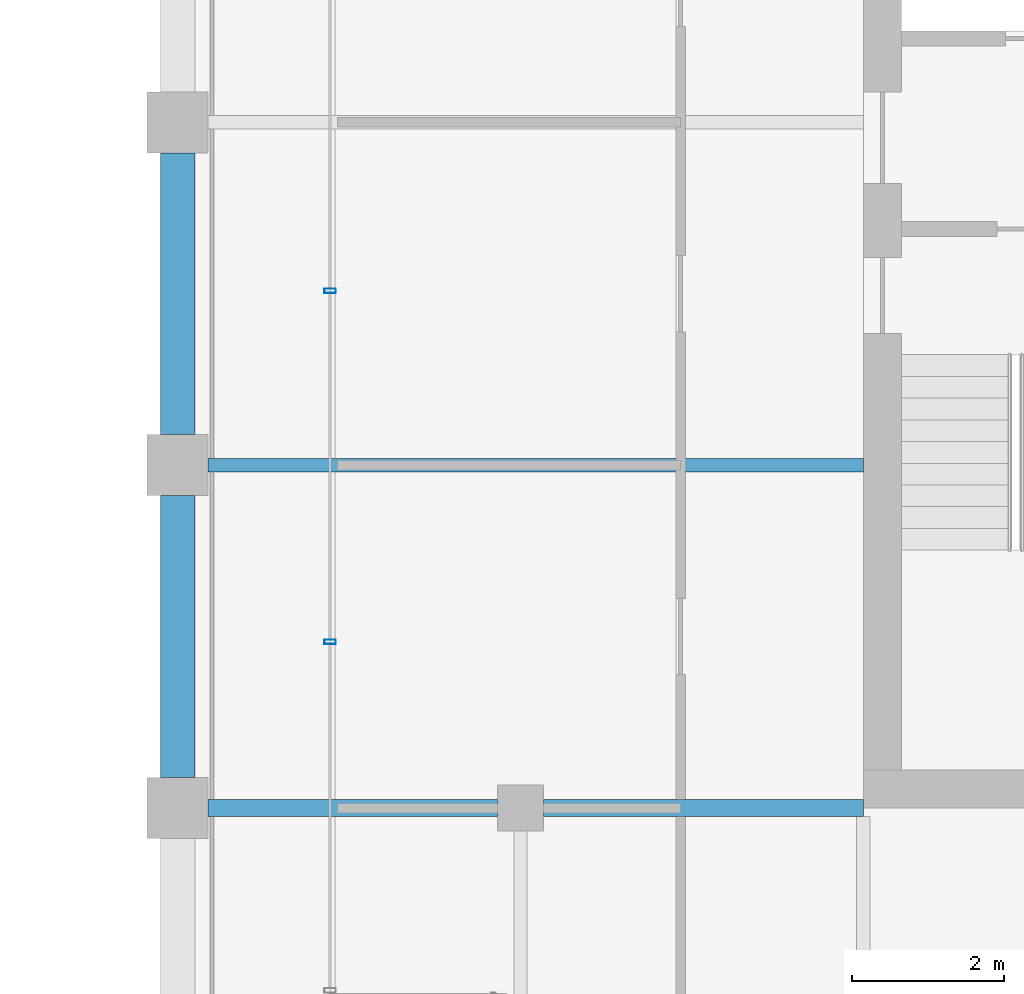
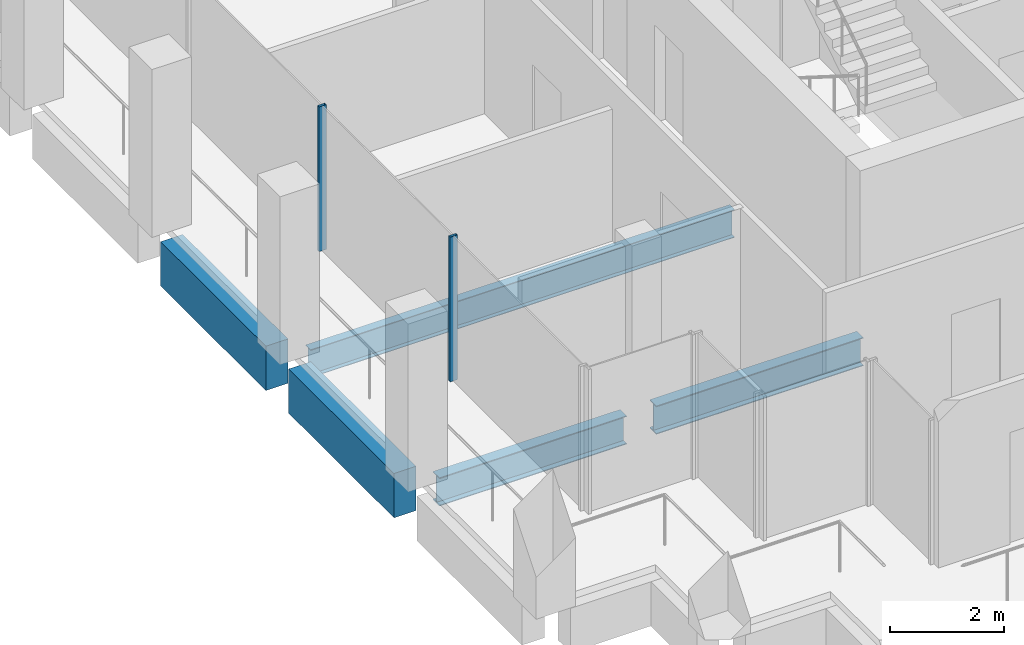
# One storey, part 30 of 41: 5 beams, 2 members, 1 element without a shape of its own.
"""IFC4 building model written with IfcOpenShell, lengths in metres."""

import ifcopenshell
import ifcopenshell.guid

model = None  # the IFC model being written
_history = None  # IfcOwnerHistory: only IFC2X3 demands one
_inside = {}  # id of a spatial element -> (the spatial element, [elements in it])
_under = {}  # id of a project, library or spatial element -> (it, [spatial elements below it])
_declared = {}  # id of a project -> (the project, [libraries it declares])
_typed = {}  # id of a type object -> (the type object, [elements of that type])
_made_of = {}  # id of a material, layer set ... -> (it, [elements and type objects made of it])


def new_model(schema):
    """Start an empty IFC model of exactly this schema.

    Asked for "IFC4X3", IfcOpenShell would pick the latest addendum, in which some entities
    have other attributes; the version numbers below select the first issue.
    IFC2X3 requires an IfcOwnerHistory on every rooted entity: one is made here for all.
    """
    global model, _history
    if schema == "IFC4X3":
        model = ifcopenshell.file(schema_version=(4, 3, 0, 0))
    else:
        model = ifcopenshell.file(schema=schema)
    _inside.clear()
    _under.clear()
    _declared.clear()
    _typed.clear()
    _made_of.clear()
    _history = None
    if model.schema == "IFC2X3":
        org = make("IfcOrganization", Name="unknown")
        user = make(
            "IfcPersonAndOrganization",
            ThePerson=make("IfcPerson", FamilyName="unknown"),
            TheOrganization=org,
        )
        app = make(
            "IfcApplication",
            ApplicationDeveloper=org,
            Version="unknown",
            ApplicationFullName="unknown",
            ApplicationIdentifier="unknown",
        )
        _history = make(
            "IfcOwnerHistory",
            OwningUser=user,
            OwningApplication=app,
            ChangeAction="ADDED",
            CreationDate=0,
        )
    return model


def make(cls, **values):
    """One entity of the class cls with the attributes given. An attribute that is None is left unset."""
    return model.create_entity(
        cls, **{name: value for name, value in values.items() if value is not None}
    )


def rooted(cls, **values):
    """An entity with a GlobalId (a new one), such as an element, a storey or a relation."""
    return make(cls, GlobalId=ifcopenshell.guid.new(), OwnerHistory=_history, **values)


def si_unit(unit_type, name, prefix=None):
    """IfcSIUnit, for example si_unit("LENGTHUNIT", "METRE", prefix="MILLI")."""
    return make("IfcSIUnit", UnitType=unit_type, Prefix=prefix, Name=name)


def assignment(units):
    """IfcUnitAssignment: the units of a project."""
    return None if units is None else make("IfcUnitAssignment", Units=units)


def point(xyz):
    """IfcCartesianPoint."""
    return None if xyz is None else make("IfcCartesianPoint", Coordinates=xyz)


def direction(xyz):
    """IfcDirection."""
    return None if xyz is None else make("IfcDirection", DirectionRatios=xyz)


def frame(location, z_axis=None, x_axis=None):
    """IfcAxis2Placement3D, a coordinate frame: its origin and axes. An axis left out is left unset."""
    return make(
        "IfcAxis2Placement3D",
        Location=point(location),
        Axis=direction(z_axis),
        RefDirection=direction(x_axis),
    )


def frame_2d(location, x_axis=None):
    """IfcAxis2Placement2D, a coordinate frame in the plane: its origin and x axis."""
    return make(
        "IfcAxis2Placement2D", Location=point(location), RefDirection=direction(x_axis)
    )


def origin():
    """The frame at (0, 0, 0) with its axes left unset."""
    return frame((0.0, 0.0, 0.0))


def origin_2d():
    """The frame at (0, 0) in the plane with its x axis left unset."""
    return frame_2d((0.0, 0.0))


def place(relative_to, where):
    """IfcLocalPlacement: puts the frame where relative to a parent placement (None: the world)."""
    return make(
        "IfcLocalPlacement", PlacementRelTo=relative_to, RelativePlacement=where
    )


def context(
    kind, dimensions, precision=None, world=None, true_north=None, identifier=None
):
    """IfcGeometricRepresentationContext, for example the 3D "Model" context."""
    return make(
        "IfcGeometricRepresentationContext",
        ContextIdentifier=identifier,
        ContextType=kind,
        CoordinateSpaceDimension=dimensions,
        Precision=precision,
        WorldCoordinateSystem=world,
        TrueNorth=true_north,
    )


def subcontext(parent, identifier, kind, view, scale=None):
    """IfcGeometricRepresentationSubContext, for example "Body" below "Model"."""
    return make(
        "IfcGeometricRepresentationSubContext",
        ContextIdentifier=identifier,
        ContextType=kind,
        ParentContext=parent,
        TargetScale=scale,
        TargetView=view,
    )


def project(units=None, contexts=None):
    """IfcProject with its units and contexts."""
    return rooted(
        "IfcProject",
        Name="project",
        RepresentationContexts=contexts,
        UnitsInContext=assignment(units),
    )


def spatial(cls, under=None, at=None, **own):
    """A site, building, storey or space (cls), placed at a placement, below another one or the project."""
    s = rooted(cls, ObjectPlacement=at, **own)
    if under is not None:
        _under.setdefault(under.id(), (under, []))[1].append(s)
    return s


def profile(cls, at=None, kind="AREA", **sizes):
    """A parametric profile (cls). Its sizes go by their IFC names, for example OverallWidth=200.0."""
    return make(cls, ProfileType=kind, Position=at, **sizes)


def rectangle(**sizes):
    """IfcRectangleProfileDef."""
    return profile("IfcRectangleProfileDef", **sizes)


def hollow_rectangle(**sizes):
    """IfcRectangleHollowProfileDef."""
    return profile("IfcRectangleHollowProfileDef", **sizes)


def i_section(**sizes):
    """IfcIShapeProfileDef."""
    return profile("IfcIShapeProfileDef", **sizes)


def extrude(swept, where, along, depth):
    """IfcExtrudedAreaSolid: the profile swept, set in the frame where, extruded along a direction by depth."""
    return make(
        "IfcExtrudedAreaSolid",
        SweptArea=swept,
        Position=where,
        ExtrudedDirection=direction(along),
        Depth=depth,
    )


def shape(context_of_items, identifier, shape_type, items):
    """IfcShapeRepresentation: the items that make up one representation, for example the "Body"."""
    return make(
        "IfcShapeRepresentation",
        ContextOfItems=context_of_items,
        RepresentationIdentifier=identifier,
        RepresentationType=shape_type,
        Items=items,
    )


def material(Name=None, Category=None):
    """IfcMaterial."""
    return make("IfcMaterial", Name=Name, Category=Category)


def material_profile(
    of_material, cross_section, Name=None, Category=None, Priority=None
):
    """IfcMaterialProfile: a cross section and its material."""
    return make(
        "IfcMaterialProfile",
        Name=Name,
        Material=of_material,
        Profile=cross_section,
        Priority=Priority,
        Category=Category,
    )


def profile_set(profiles, Name=None, composite=None):
    """IfcMaterialProfileSet."""
    return make(
        "IfcMaterialProfileSet",
        Name=Name,
        MaterialProfiles=profiles,
        CompositeProfile=composite,
    )


def made_of(thing, what):
    """Note that an element or type object is made of a material, layer set ...; save() writes the relation."""
    if what is not None:
        _made_of.setdefault(what.id(), (what, []))[1].append(thing)
    return thing


def type_object(cls, material=None, **own):
    """A type object (cls), such as IfcWallType, which elements share."""
    return made_of(rooted(cls, **own), material)


def element(
    cls,
    number,
    at=None,
    inside=None,
    cuts=None,
    type_object=None,
    material=None,
    context=None,
    identifier="Body",
    shape_type=None,
    held_by="IfcProductDefinitionShape",
    body=None,
    shapes=None,
    **own,
):
    """One element of the class cls, such as IfcWall. Its Tag is "e" and its number.

    at: its placement. inside: the storey or other place that contains it. cuts: it is an
    opening in that element (IfcRelVoidsElement). A single representation is given by context,
    identifier, shape_type and body (its items); several are given by shapes. held_by: the class
    of the entity that holds the representations. save() writes the other relations.
    """
    e = rooted(cls, Tag="e%d" % number, ObjectPlacement=at, **own)
    if body is not None:
        shapes = [shape(context, identifier, shape_type, body)]
    if shapes is not None:
        e.Representation = make(held_by, Representations=shapes)
    if inside is not None:
        _inside.setdefault(inside.id(), (inside, []))[1].append(e)
    if cuts is not None:
        rooted(
            "IfcRelVoidsElement", RelatingBuildingElement=cuts, RelatedOpeningElement=e
        )
    if type_object is not None:
        _typed.setdefault(type_object.id(), (type_object, []))[1].append(e)
    return made_of(e, material)


def aggregate(whole, parts):
    """IfcRelAggregates: a whole, such as a stair, and the parts it consists of."""
    return rooted("IfcRelAggregates", RelatingObject=whole, RelatedObjects=parts)


def save(model, path):
    """Write the relations noted so far, then the file.

    IfcRelAggregates (storeys below a building ...), IfcRelContainedInSpatialStructure (elements
    in a storey), IfcRelDefinesByType, IfcRelAssociatesMaterial and IfcRelDeclares: one each for
    every whole, place, type object, material and project.
    """
    for whole, parts in _under.values():
        aggregate(whole, parts)
    for where, things in _inside.values():
        rooted(
            "IfcRelContainedInSpatialStructure",
            RelatedElements=things,
            RelatingStructure=where,
        )
    for kind, things in _typed.values():
        rooted("IfcRelDefinesByType", RelatedObjects=things, RelatingType=kind)
    for what, things in _made_of.values():
        rooted("IfcRelAssociatesMaterial", RelatedObjects=things, RelatingMaterial=what)
    for by, libraries in _declared.values():
        rooted("IfcRelDeclares", RelatingContext=by, RelatedDefinitions=libraries)
    model.write(path)


model = new_model("IFC4")

# Units and contexts
model_context = context("Model", 3, precision=1e-05, world=origin(), true_north=direction((0.0, 1.0)))
body_context = subcontext(model_context, "Body", "Model", "MODEL_VIEW")
ifc_project = project(units=[si_unit("LENGTHUNIT", "METRE"), si_unit("AREAUNIT", "SQUARE_METRE"), si_unit("VOLUMEUNIT", "CUBIC_METRE"), si_unit("PLANEANGLEUNIT", "RADIAN"), si_unit("MASSUNIT", "GRAM", prefix="KILO")], contexts=[model_context])

# Site, building, storey
site_placement = place(None, origin())
site = spatial("IfcSite", under=ifc_project, at=site_placement, CompositionType="ELEMENT")
building_placement = place(site_placement, origin())
building = spatial("IfcBuilding", under=site, at=building_placement, Name="Altepetl Exchange Towers", CompositionType="ELEMENT")
storey_placement = place(building_placement, frame((0.0, 0.0, 206.39990234375)))
storey = spatial("IfcBuildingStorey", under=building, at=storey_placement, Name="L52", CompositionType="ELEMENT", Elevation=206.39990234375)

# Beams
ifc_material_1 = material(Name="Steel S355", Category="steel")
ifc_material_profile_1 = material_profile(ifc_material_1, i_section(OverallWidth=0.177978515625, OverallDepth=0.59912109375, WebThickness=0.010009765625, FlangeThickness=0.0126953125, at=origin_2d()), Name="W24X55")
ifc_profile_set_1 = profile_set([ifc_material_profile_1], Name="Steel S355")
beam_type_1 = type_object("IfcBeamType", Name="Floor beam W24X55", PredefinedType="BEAM", material=ifc_profile_set_1)
beam_1_placement = place(storey_placement, frame((94.89990234375, 40.5, -0.449462890625), z_axis=(1.0, 0.0, 0.0), x_axis=(0.0, 1.0, 0.0)))
element("IfcBeam", 1, at=beam_1_placement, inside=storey, type_object=beam_type_1, Name="bm:B:L52:004", PredefinedType="BEAM", context=body_context, shape_type="SweptSolid", body=[
    extrude(i_section(OverallWidth=0.177978515625, OverallDepth=0.59912109375, WebThickness=0.010009765625, FlangeThickness=0.0126953125, at=origin_2d()), origin(), (0.0, 0.0, 1.0), 8.60009765625),
])
ifc_material_profile_2 = material_profile(ifc_material_1, i_section(OverallWidth=0.22802734375, OverallDepth=0.60791015625, WebThickness=0.01123046875, FlangeThickness=0.017333984375, at=origin_2d()), Name="W24X76")
ifc_profile_set_2 = profile_set([ifc_material_profile_2], Name="Steel S355")
beam_type_2 = type_object("IfcBeamType", Name="Girder W24X76", PredefinedType="BEAM", material=ifc_profile_set_2)
beam_2_placement = place(storey_placement, frame((103.5, 36.0, -0.453857421875), z_axis=(-1.0, 0.0, 0.0), x_axis=(0.0, -1.0, 0.0)))
element("IfcBeam", 2, at=beam_2_placement, inside=storey, type_object=beam_type_2, Name="gd:B:L52:000", PredefinedType="BEAM", context=body_context, shape_type="SweptSolid", body=[
    extrude(i_section(OverallWidth=0.22802734375, OverallDepth=0.60791015625, WebThickness=0.01123046875, FlangeThickness=0.017333984375, at=origin_2d()), origin(), (0.0, 0.0, 1.0), 4.199951171875),
])
beam_3_placement = place(storey_placement, frame((98.699951171875, 36.0, -0.453857421875), z_axis=(-1.0, 0.0, 0.0), x_axis=(0.0, -1.0, 0.0)))
element("IfcBeam", 3, at=beam_3_placement, inside=storey, type_object=beam_type_2, Name="gd:B:L52:001", PredefinedType="BEAM", context=body_context, shape_type="SweptSolid", body=[
    extrude(i_section(OverallWidth=0.22802734375, OverallDepth=0.60791015625, WebThickness=0.01123046875, FlangeThickness=0.017333984375, at=origin_2d()), origin(), (0.0, 0.0, 1.0), 3.800048828125),
])

# Curtain wall, members
ifc_material_2 = material(Name="Aluminium 6063-T6 glazing", Category="aluminium")
curtain_wall_type = type_object("IfcCurtainWallType", Name="Loggia glazing system", PredefinedType="NOTDEFINED", material=ifc_material_2)
curtain_wall_placement = place(storey_placement, origin())
curtain_wall = element("IfcCurtainWall", 4, at=curtain_wall_placement, inside=storey, type_object=curtain_wall_type, Name="CW1 run", PredefinedType="NOTDEFINED")
ifc_material_3 = material(Name="Aluminium 6063-T6", Category="aluminium")
ifc_material_profile_3 = material_profile(ifc_material_3, hollow_rectangle(XDim=0.06005859375, YDim=0.14990234375, WallThickness=0.0029296875, at=origin_2d()), Name="Mullion 60x150 aluminium")
ifc_profile_set_3 = profile_set([ifc_material_profile_3], Name="Aluminium 6063-T6")
member_type = type_object("IfcMemberType", Name="Mullion 60x150 aluminium", PredefinedType="MULLION", material=ifc_profile_set_3)
member_1_placement = place(storey_placement, frame((96.5, 42.78759765625, 0.0), z_axis=(0.0, 0.0, 1.0), x_axis=(0.0, -1.0, 0.0)))
member_1 = element("IfcMember", 5, at=member_1_placement, type_object=member_type, Name="MU1 mullion", PredefinedType="MULLION", context=body_context, shape_type="SweptSolid", body=[
    extrude(hollow_rectangle(XDim=0.06005859375, YDim=0.14990234375, WallThickness=0.0029296875, at=origin_2d()), origin(), (0.0, 0.0, 1.0), 3.10009765625),
])
member_2_placement = place(storey_placement, frame((96.5, 38.18115234375, 0.0), z_axis=(0.0, 0.0, 1.0), x_axis=(0.0, -1.0, 0.0)))
member_2 = element("IfcMember", 6, at=member_2_placement, type_object=member_type, Name="MU1 mullion", PredefinedType="MULLION", context=body_context, shape_type="SweptSolid", body=[
    extrude(hollow_rectangle(XDim=0.06005859375, YDim=0.14990234375, WallThickness=0.0029296875, at=origin_2d()), origin(), (0.0, 0.0, 1.0), 3.10009765625),
])
aggregate(curtain_wall, [member_1, member_2])

# Beams
ifc_material_4 = material(Name="Concrete C50/60 precast with cantera rosa facing", Category="concrete")
ifc_material_profile_4 = material_profile(ifc_material_4, rectangle(XDim=0.449951171875, YDim=0.949951171875, at=origin_2d()), Name="450 x 950")
ifc_profile_set_4 = profile_set([ifc_material_profile_4], Name="Concrete C50/60 precast with cantera rosa facing")
beam_type_3 = type_object("IfcBeamType", Name="Spandrel beam 450x950 cantera rosa", PredefinedType="SPANDREL", material=ifc_profile_set_4)
for number, where, z_axis, x_axis, name in (
    (7, (94.5, 44.60009765625, -0.625), (0.0, -1.0, 0.0), (1.0, 0.0, 0.0), "sp:B:L52:017"),
    (8, (94.5, 40.10009765625, -0.625), (0.0, -1.0, 0.0), (1.0, 0.0, 0.0), "sp:B:L52:018"),
):
    element("IfcBeam", number, at=place(storey_placement, frame(where, z_axis=z_axis, x_axis=x_axis)), inside=storey, type_object=beam_type_3, Name=name, PredefinedType="SPANDREL", context=body_context, shape_type="SweptSolid", body=[
        extrude(rectangle(XDim=0.449951171875, YDim=0.949951171875, at=origin_2d()), origin(), (0.0, 0.0, 1.0), 3.7001953125),
    ])

save(model, "model.ifc")
